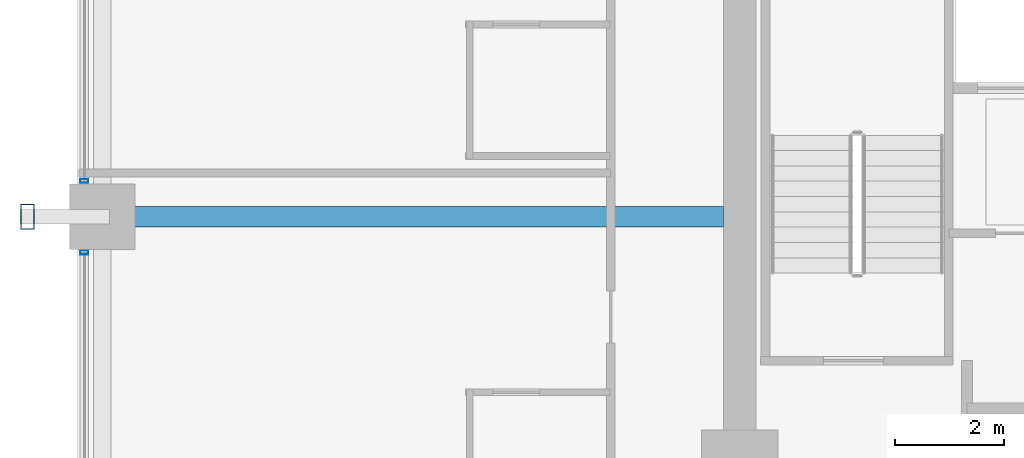
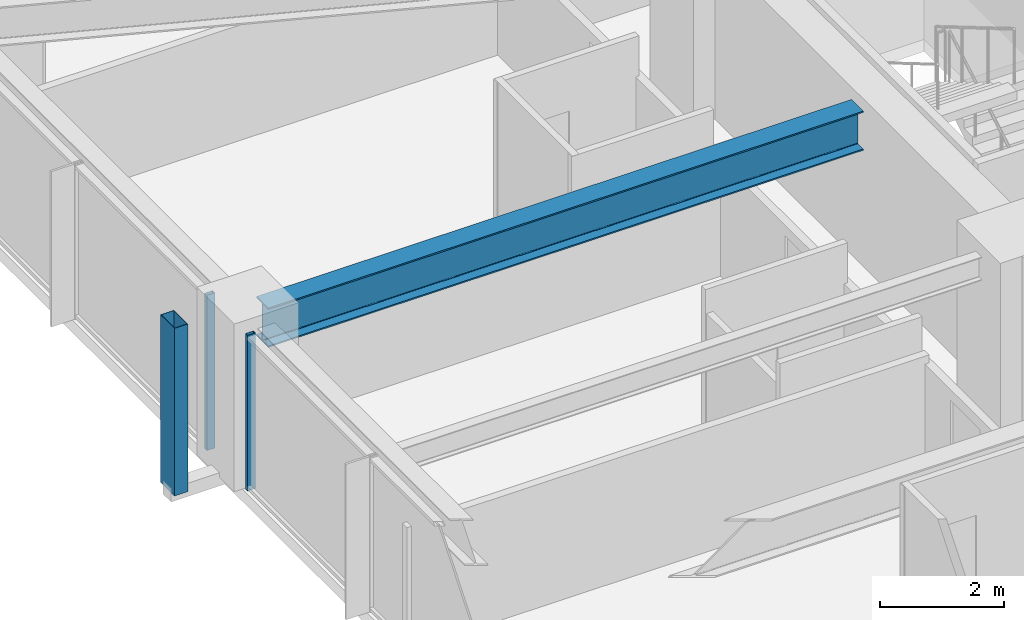
# One storey, part 9 of 38: 3 members, 1 beam, 2 elements without a shape of their own.
"""IFC4 building model written with IfcOpenShell, lengths in metres."""

from ifc_helpers import new_model, si_unit, direction, frame, origin, origin_2d, place, context, subcontext, project, spatial, hollow_rectangle, i_section, extrude, material, material_profile, profile_set, type_object, element, aggregate, save


model = new_model("IFC4")

# Units and contexts
model_context = context("Model", 3, precision=1e-05, world=origin(), true_north=direction((0.0, 1.0)))
body_context = subcontext(model_context, "Body", "Model", "MODEL_VIEW")
ifc_project = project(units=[si_unit("LENGTHUNIT", "METRE"), si_unit("AREAUNIT", "SQUARE_METRE"), si_unit("VOLUMEUNIT", "CUBIC_METRE"), si_unit("PLANEANGLEUNIT", "RADIAN"), si_unit("MASSUNIT", "GRAM", prefix="KILO")], contexts=[model_context])

# Site, building, storey
site_placement = place(None, origin())
site = spatial("IfcSite", under=ifc_project, at=site_placement, CompositionType="ELEMENT")
building_placement = place(site_placement, origin())
building = spatial("IfcBuilding", under=site, at=building_placement, Name="Kolvaren Belvedere", CompositionType="ELEMENT")
storey_placement = place(building_placement, frame((0.0, 0.0, 50.199951171875)))
storey = spatial("IfcBuildingStorey", under=building, at=storey_placement, Name="L14", CompositionType="ELEMENT", Elevation=50.199951171875)

# Beam
ifc_material_1 = material(Name="Structural steel ASTM A992 Grade 50", Category="steel")
ifc_material_profile_1 = material_profile(ifc_material_1, i_section(OverallWidth=0.381103515625, OverallDepth=0.77294921875, WebThickness=0.0166015625, FlangeThickness=0.027099609375, FilletRadius=0.02392578125, at=origin_2d()), Name="W30X173")
ifc_profile_set_1 = profile_set([ifc_material_profile_1], Name="Structural steel ASTM A992 Grade 50")
beam_type = type_object("IfcBeamType", Name="BM-GIRD-W30X173", PredefinedType="BEAM", material=ifc_profile_set_1)
beam_placement = place(storey_placement, frame((-10.199951171875, 4.60009765625, 2.673583984375), z_axis=(-1.0, 0.0, 0.0), x_axis=(0.0, -1.0, 0.0)))
element("IfcBeam", 1, at=beam_placement, inside=storey, type_object=beam_type, Name="L14 West Radial Girder P", PredefinedType="BEAM", context=body_context, shape_type="SweptSolid", body=[
    extrude(i_section(OverallWidth=0.381103515625, OverallDepth=0.77294921875, WebThickness=0.0166015625, FlangeThickness=0.027099609375, FilletRadius=0.02392578125, at=origin_2d()), origin(), (0.0, 0.0, 1.0), 11.080078125),
])

# Curtain wall, member
ifc_material_2 = material(Name="Anodised pale-metal aluminium AA 6063-T6", Category="aluminium")
curtain_wall_type = type_object("IfcCurtainWallType", Name="CW-Z1-LOW", PredefinedType="NOTDEFINED", material=ifc_material_2)
curtain_wall_1_placement = place(storey_placement, origin())
curtain_wall_1 = element("IfcCurtainWall", 2, at=curtain_wall_1_placement, inside=storey, type_object=curtain_wall_type, Name="L14 Unitised Curtain Wall FCW-L14-W-B2", PredefinedType="NOTDEFINED")
ifc_material_3 = material(Name="Anodised pale-metal aluminium AA 6063-T6", Category="aluminium")
ifc_material_profile_2 = material_profile(ifc_material_3, hollow_rectangle(XDim=0.070068359375, YDim=0.14990234375, WallThickness=0.004150390625, at=origin_2d()), Name="ALU-MUL-150X70")
ifc_profile_set_2 = profile_set([ifc_material_profile_2], Name="Anodised pale-metal aluminium AA 6063-T6")
member_type_1 = type_object("IfcMemberType", Name="CW-MUL-150", PredefinedType="MULLION", material=ifc_profile_set_2)
member_1_placement = place(storey_placement, frame((-21.8798828125, 3.945068359375, 0.0), z_axis=(0.0, 0.0, 1.0), x_axis=(0.0, 1.0, 0.0)))
member_1 = element("IfcMember", 3, at=member_1_placement, type_object=member_type_1, Name="FCW-L14-W-B2 Unitised Mullion 3", PredefinedType="MULLION", context=body_context, shape_type="SweptSolid", body=[
    extrude(hollow_rectangle(XDim=0.070068359375, YDim=0.14990234375, WallThickness=0.004150390625, at=origin_2d()), origin(), (0.0, 0.0, 1.0), 3.06005859375),
])
aggregate(curtain_wall_1, [member_1])

curtain_wall_2_placement = place(storey_placement, origin())
curtain_wall_2 = element("IfcCurtainWall", 4, at=curtain_wall_2_placement, inside=storey, type_object=curtain_wall_type, Name="L14 Unitised Curtain Wall FCW-L14-W-B3", PredefinedType="NOTDEFINED")
member_2_placement = place(storey_placement, frame((-21.8798828125, 5.2548828125, 0.0), z_axis=(0.0, 0.0, 1.0), x_axis=(0.0, 1.0, 0.0)))
member_2 = element("IfcMember", 5, at=member_2_placement, type_object=member_type_1, Name="FCW-L14-W-B3 Unitised Mullion 1", PredefinedType="MULLION", context=body_context, shape_type="SweptSolid", body=[
    extrude(hollow_rectangle(XDim=0.070068359375, YDim=0.14990234375, WallThickness=0.004150390625, at=origin_2d()), origin(), (0.0, 0.0, 1.0), 3.06005859375),
])
aggregate(curtain_wall_2, [member_2])

# Member
ifc_material_4 = material(Name="Anodised pale-metal aluminium AA 6063-T6", Category="aluminium")
ifc_material_profile_3 = material_profile(ifc_material_4, hollow_rectangle(XDim=0.25, YDim=0.449951171875, WallThickness=0.008544921875, at=origin_2d()), Name="ALU-PF-450X250")
ifc_profile_set_3 = profile_set([ifc_material_profile_3], Name="Anodised pale-metal aluminium AA 6063-T6")
member_type_2 = type_object("IfcMemberType", Name="PF-FRAME-450", PredefinedType="USERDEFINED", material=ifc_profile_set_3)
member_3_placement = place(storey_placement, frame((-22.919921875, 4.60009765625, 0.0), z_axis=(0.0, 0.0, 1.0), x_axis=(1.0, 0.0, 0.0)))
element("IfcMember", 6, at=member_3_placement, inside=storey, type_object=member_type_2, Name="L14 Outboard Picture-Frame Vertical W2", ObjectType="PICTURE FRAME FIN", PredefinedType="USERDEFINED", context=body_context, shape_type="SweptSolid", body=[
    extrude(hollow_rectangle(XDim=0.25, YDim=0.449951171875, WallThickness=0.008544921875, at=origin_2d()), origin(), (0.0, 0.0, 1.0), 3.300048828125),
])

save(model, "model.ifc")
